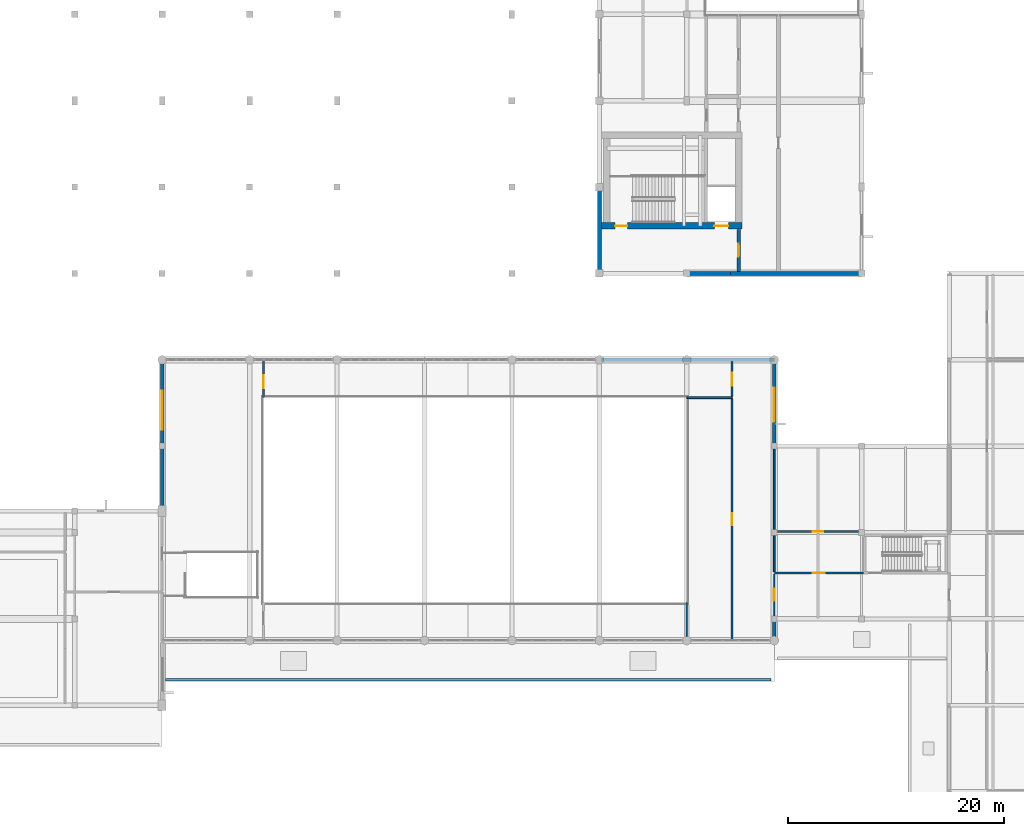
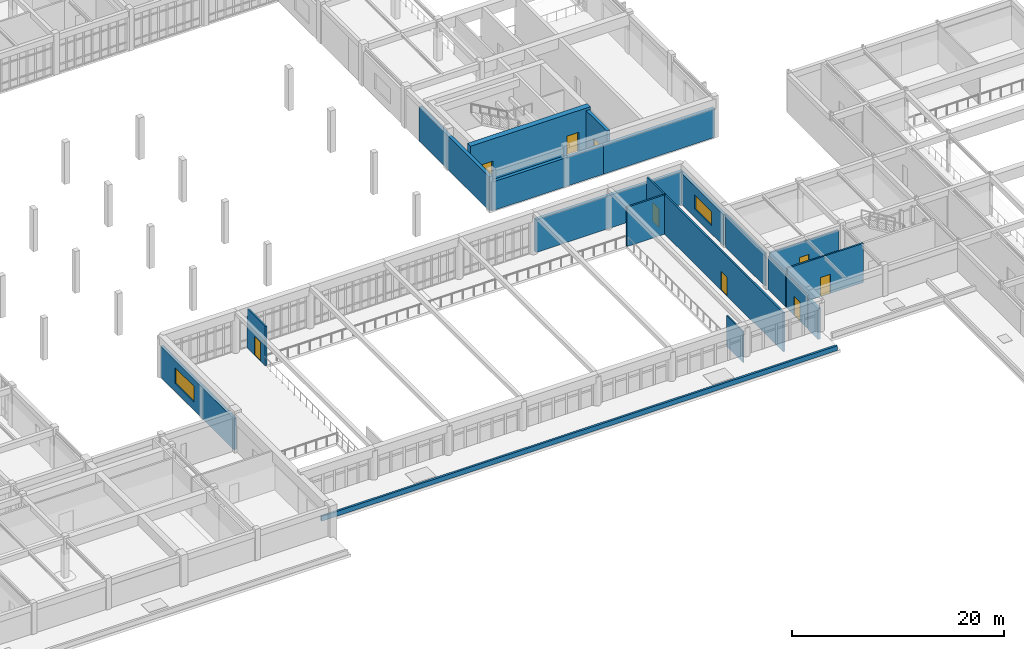
# One storey, part 45 of 61: 20 walls, 9 doors, 2 windows, 11 openings.
"""IFC4 building model written with IfcOpenShell, lengths in metres."""

from ifc_helpers import new_model, si_unit, direction, frame, frame_2d, origin, place, context, subcontext, project, spatial, rectangle, extrude, material, layer, layer_set, type_object, element, fill, save


model = new_model("IFC4")

# Units and contexts
model_context = context("Model", 3, precision=1e-05, world=origin(), true_north=direction((0.0, 1.0)))
body_context = subcontext(model_context, "Body", "Model", "MODEL_VIEW")
ifc_project = project(units=[si_unit("LENGTHUNIT", "METRE"), si_unit("AREAUNIT", "SQUARE_METRE"), si_unit("VOLUMEUNIT", "CUBIC_METRE"), si_unit("PLANEANGLEUNIT", "RADIAN"), si_unit("MASSUNIT", "GRAM", prefix="KILO")], contexts=[model_context])

# Site, building, storey
site_placement = place(None, origin())
site = spatial("IfcSite", under=ifc_project, at=site_placement, CompositionType="ELEMENT")
building_placement = place(site_placement, origin())
building = spatial("IfcBuilding", under=site, at=building_placement, Name="Tarnveldt Square Police Headquarters", CompositionType="ELEMENT")
storey_placement = place(building_placement, frame((0.0, 0.0, 5.39990234375)))
storey = spatial("IfcBuildingStorey", under=building, at=storey_placement, Name="L01", CompositionType="ELEMENT", Elevation=5.39990234375)

# Wall, openings, doors
ifc_material_1 = material(Name="Concrete 50 MPa", Category="concrete")
ifc_layer_1 = layer(ifc_material_1, 0.60009765625)
ifc_layer_set_1 = layer_set([ifc_layer_1], Name="Concrete 50 MPa")
wall_type_1 = type_object("IfcWallType", Name="WL-CORE-600", PredefinedType="SHEAR", material=ifc_layer_set_1)
wall_1_placement = place(storey_placement, frame((105.47998046875, 60.39990234375, 0.0), z_axis=(0.0, 0.0, 1.0), x_axis=(1.0, 0.0, 0.0)))
wall_1 = element("IfcWall", 1, at=wall_1_placement, inside=storey, type_object=wall_type_1, Name="Core K4 East Custody and Tactical Core L01 South Shear Wall", PredefinedType="SHEAR", context=body_context, shape_type="SweptSolid", body=[
    extrude(rectangle(XDim=13.02001953125, YDim=0.60009765625, at=frame_2d((6.510009765625, 0.0))), origin(), (0.0, 0.0, 1.0), 4.800048828125),
])
opening_1_placement = place(wall_1_placement, frame((1.27001953125, 0.0, 0.0)))
opening_1 = element("IfcOpeningElement", 2, at=opening_1_placement, cuts=wall_1, Name="Opening D-ST4-L01", PredefinedType="OPENING", context=body_context, shape_type="SweptSolid", body=[
    extrude(rectangle(XDim=1.14990234375, YDim=2.25, at=frame_2d((0.574951171875, 1.125))), frame((0.0, 0.31005859375, 0.0), z_axis=(0.0, -1.0, 0.0), x_axis=(1.0, 0.0, 0.0)), (0.0, 0.0, 1.0), 0.6201171875),
])
opening_2_placement = place(wall_1_placement, frame((10.47509765625, 0.0, 0.0)))
opening_2 = element("IfcOpeningElement", 3, at=opening_2_placement, cuts=wall_1, Name="Opening LD-LS1-L01", PredefinedType="OPENING", context=body_context, shape_type="SweptSolid", body=[
    extrude(rectangle(XDim=1.300048828125, YDim=2.300048828125, at=frame_2d((0.64990234375, 1.14990234375))), frame((0.0, 0.31005859375, 0.0), z_axis=(0.0, -1.0, 0.0), x_axis=(1.0, 0.0, 0.0)), (0.0, 0.0, 1.0), 0.6201171875),
])
ifc_material_2 = material(Name="Insulated hollow metal steel door leaf", Category="steel")
door_type_1 = type_object("IfcDoorType", Name="DR-FD90-1150", OperationType="NOTDEFINED", PredefinedType="DOOR", material=ifc_material_2)
door_1_placement = place(opening_1_placement, origin())
door_1 = element("IfcDoor", 4, at=door_1_placement, inside=storey, type_object=door_type_1, Name="Exit Stair ST4 L01 Fire Door", OperationType="SINGLE_SWING_LEFT", OverallHeight=2.25, OverallWidth=1.14990234375, PredefinedType="DOOR", context=body_context, shape_type="SweptSolid", body=[
    extrude(rectangle(XDim=1.14990234375, YDim=2.25, at=frame_2d((0.574951171875, 1.125))), frame((0.0, 0.02490234375, 0.0), z_axis=(0.0, -1.0, 0.0), x_axis=(1.0, 0.0, 0.0)), (0.0, 0.0, 1.0), 0.050048828125),
])
fill(opening_1, door_1)
ifc_material_3 = material(Name="Steel 350W", Category="steel")
door_type_2 = type_object("IfcDoorType", Name="DR-LD-1300", OperationType="DOUBLE_DOOR_SLIDING", PredefinedType="DOOR", material=ifc_material_3)
door_2_placement = place(opening_2_placement, frame((1.300048828125, 0.0, 0.0), z_axis=(0.0, 0.0, 1.0), x_axis=(-1.0, 0.0, 0.0)))
door_2 = element("IfcDoor", 5, at=door_2_placement, inside=storey, type_object=door_type_2, Name="Elevator LS1 L01 Sliding Landing Door", OperationType="DOUBLE_DOOR_SLIDING", OverallHeight=2.300048828125, OverallWidth=1.300048828125, PredefinedType="DOOR", context=body_context, shape_type="SweptSolid", body=[
    extrude(rectangle(XDim=1.300048828125, YDim=2.300048828125, at=frame_2d((0.64990234375, 1.14990234375))), frame((0.0, 0.02490234375, 0.0), z_axis=(0.0, -1.0, 0.0), x_axis=(1.0, 0.0, 0.0)), (0.0, 0.0, 1.0), 0.050048828125),
])
fill(opening_2, door_2)

# Walls
ifc_material_4 = material(Name="Concrete 40 MPa", Category="concrete")
ifc_layer_2 = layer(ifc_material_4, 0.35009765625)
ifc_layer_set_2 = layer_set([ifc_layer_2], Name="Concrete 40 MPa")
wall_type_2 = type_object("IfcWallType", Name="WL-CUST-350", PredefinedType="SOLIDWALL", material=ifc_layer_set_2)
wall_2_placement = place(storey_placement, frame((105.300048828125, 56.0, 0.0), z_axis=(0.0, 0.0, 1.0), x_axis=(1.0, 0.0, 0.0)))
element("IfcWall", 6, at=wall_2_placement, inside=storey, type_object=wall_type_2, Name="L01 Brutalist Exterior Wall 0103", PredefinedType="SOLIDWALL", context=body_context, shape_type="SweptSolid", body=[
    extrude(rectangle(XDim=12.14990234375, YDim=0.35009765625, at=frame_2d((6.074951171875, 0.0))), origin(), (0.0, 0.0, 1.0), 3.31201171875),
])
wall_3_placement = place(storey_placement, frame((117.449951171875, 56.0, 0.0), z_axis=(0.0, 0.0, 1.0), x_axis=(1.0, 0.0, 0.0)))
element("IfcWall", 7, at=wall_3_placement, inside=storey, type_object=wall_type_2, Name="L01 Brutalist Exterior Wall 0104", PredefinedType="SOLIDWALL", context=body_context, shape_type="SweptSolid", body=[
    extrude(rectangle(XDim=12.150146484375, YDim=0.35009765625, at=frame_2d((6.0751953125, 0.0))), origin(), (0.0, 0.0, 1.0), 3.31201171875),
])
wall_4_placement = place(storey_placement, frame((105.300048828125, 69.2734375, 0.0), z_axis=(0.0, 0.0, 1.0), x_axis=(0.0, -1.0, 0.0)))
element("IfcWall", 8, at=wall_4_placement, inside=storey, type_object=wall_type_2, Name="L01 Brutalist Exterior Wall 0112", PredefinedType="SOLIDWALL", context=body_context, shape_type="SweptSolid", body=[
    extrude(rectangle(XDim=13.2734375, YDim=0.35009765625, at=frame_2d((6.63671875, 0.0))), origin(), (0.0, 0.0, 1.0), 3.912109375),
])

# Wall, opening, door
wall_5_placement = place(storey_placement, frame((118.199951171875, 56.18310546875, 0.0), z_axis=(0.0, 0.0, 1.0), x_axis=(0.0, 1.0, 0.0)))
wall_5 = element("IfcWall", 9, at=wall_5_placement, inside=storey, type_object=wall_type_2, Name="L01 Interior Partition Wall 0316", PredefinedType="SOLIDWALL", context=body_context, shape_type="SweptSolid", body=[
    extrude(rectangle(XDim=3.908935546875, YDim=0.35009765625, at=frame_2d((1.95458984375, 0.0))), origin(), (0.0, 0.0, 1.0), 4.52001953125),
])
opening_3_placement = place(wall_5_placement, frame((1.3544921875, 0.0, 0.0)))
opening_3 = element("IfcOpeningElement", 10, at=opening_3_placement, cuts=wall_5, Name="Opening D16", PredefinedType="OPENING", context=body_context, shape_type="SweptSolid", body=[
    extrude(rectangle(XDim=1.199951171875, YDim=2.199951171875, at=frame_2d((0.60009765625, 1.10009765625))), frame((0.0, 0.18505859375, 0.0), z_axis=(0.0, -1.0, 0.0), x_axis=(1.0, 0.0, 0.0)), (0.0, 0.0, 1.0), 0.3701171875),
])
door_type_3 = type_object("IfcDoorType", Name="DR-FD60-1200", OperationType="NOTDEFINED", PredefinedType="DOOR", material=ifc_material_2)
door_3_placement = place(opening_3_placement, frame((1.199951171875, 0.0, 0.0), z_axis=(0.0, 0.0, 1.0), x_axis=(-1.0, 0.0, 0.0)))
door_3 = element("IfcDoor", 11, at=door_3_placement, inside=storey, type_object=door_type_3, Name="Core Lift Lobby K4-L01 Door", OperationType="SINGLE_SWING_LEFT", OverallHeight=2.199951171875, OverallWidth=1.199951171875, PredefinedType="DOOR", context=body_context, shape_type="SweptSolid", body=[
    extrude(rectangle(XDim=1.199951171875, YDim=2.199951171875, at=frame_2d((0.60009765625, 1.10009765625))), frame((0.0, 0.02490234375, 0.0), z_axis=(0.0, -1.0, 0.0), x_axis=(1.0, 0.0, 0.0)), (0.0, 0.0, 1.0), 0.050048828125),
])
fill(opening_3, door_3)

# Walls
ifc_layer_3 = layer(ifc_material_4, 0.320068359375)
ifc_layer_set_3 = layer_set([ifc_layer_3], Name="Concrete 40 MPa")
wall_type_3 = type_object("IfcWallType", Name="WL-EXT-BH320", PredefinedType="SOLIDWALL", material=ifc_layer_set_3)
wall_6_placement = place(storey_placement, frame((121.5, 48.0, 0.0), z_axis=(0.0, 0.0, 1.0), x_axis=(-1.0, 0.0, 0.0)))
element("IfcWall", 12, at=wall_6_placement, inside=storey, type_object=wall_type_3, Name="L01 Brutalist Exterior Wall 0081", PredefinedType="SOLIDWALL", context=body_context, shape_type="SweptSolid", body=[
    extrude(rectangle(XDim=16.02001953125, YDim=0.320068359375, at=frame_2d((8.010009765625, 0.0))), origin(), (0.0, 0.0, 1.0), 3.7919921875),
])
ifc_material_5 = material(Name="Manganese ironspot clay brick masonry 20 MPa", Category="masonry")
ifc_layer_4 = layer(ifc_material_5, 0.300048828125)
ifc_layer_set_4 = layer_set([ifc_layer_4], Name="Manganese ironspot clay brick masonry 20 MPa")
wall_type_4 = type_object("IfcWallType", Name="WL-EXT-BRK300", PredefinedType="SOLIDWALL", material=ifc_layer_set_4)
wall_7_placement = place(storey_placement, frame((121.5, 22.179931640625, 0.0), z_axis=(0.0, 0.0, 1.0), x_axis=(0.0, 1.0, 0.0)))
element("IfcWall", 13, at=wall_7_placement, inside=storey, type_object=wall_type_4, Name="L01 Brutalist Exterior Wall 0066", PredefinedType="SOLIDWALL", context=body_context, shape_type="SweptSolid", body=[
    extrude(rectangle(XDim=1.820068359375, YDim=0.300048828125, at=frame_2d((0.91015625, 0.0))), origin(), (0.0, 0.0, 1.0), 3.5810546875),
])

# Wall, opening, window
wall_8_placement = place(storey_placement, frame((121.5, 40.0, 0.0), z_axis=(0.0, 0.0, 1.0), x_axis=(0.0, 1.0, 0.0)))
wall_8 = element("IfcWall", 14, at=wall_8_placement, inside=storey, type_object=wall_type_4, Name="L01 Brutalist Exterior Wall 0080", PredefinedType="SOLIDWALL", context=body_context, shape_type="SweptSolid", body=[
    extrude(rectangle(XDim=8.0, YDim=0.300048828125, at=frame_2d((4.0, 0.0))), origin(), (0.0, 0.0, 1.0), 3.5810546875),
])
opening_4_placement = place(wall_8_placement, frame((2.25, 0.0, 0.949951171875)))
opening_4 = element("IfcOpeningElement", 15, at=opening_4_placement, cuts=wall_8, Name="Opening W18", PredefinedType="OPENING", context=body_context, shape_type="SweptSolid", body=[
    extrude(rectangle(XDim=3.14990234375, YDim=1.60009765625, at=frame_2d((1.574951171875, 0.800048828125))), frame((0.0, 0.159912109375, 0.0), z_axis=(0.0, -1.0, 0.0), x_axis=(1.0, 0.0, 0.0)), (0.0, 0.0, 1.0), 0.320068359375),
])
ifc_material_6 = material(Name="Triple-glazed low-e laminated vision glass", Category="glass")
window_type_1 = type_object("IfcWindowType", Name="WIN-DR-315x160", PartitioningType="TRIPLE_PANEL_VERTICAL", PredefinedType="WINDOW", material=ifc_material_6)
window_1_placement = place(opening_4_placement, origin())
window_1 = element("IfcWindow", 16, at=window_1_placement, inside=storey, type_object=window_type_1, Name="L01 Deep-Reveal Brutalist Window 0018", OverallHeight=1.60009765625, OverallWidth=3.14990234375, PartitioningType="TRIPLE_PANEL_VERTICAL", PredefinedType="WINDOW", context=body_context, shape_type="SweptSolid", body=[
    extrude(rectangle(XDim=3.14990234375, YDim=1.60009765625, at=frame_2d((1.574951171875, 0.800048828125))), frame((0.0, 0.030029296875, 0.0), z_axis=(0.0, -1.0, 0.0), x_axis=(1.0, 0.0, 0.0)), (0.0, 0.0, 1.0), 0.06005859375),
])
fill(opening_4, window_1)

wall_9_placement = place(storey_placement, frame((64.800048828125, 47.820068359375, 0.0), z_axis=(0.0, 0.0, 1.0), x_axis=(0.0, -1.0, 0.0)))
wall_9 = element("IfcWall", 17, at=wall_9_placement, inside=storey, type_object=wall_type_4, Name="L01 Brutalist Exterior Wall 0082", PredefinedType="SOLIDWALL", context=body_context, shape_type="SweptSolid", body=[
    extrude(rectangle(XDim=13.820068359375, YDim=0.300048828125, at=frame_2d((6.91015625, 0.0))), origin(), (0.0, 0.0, 1.0), 3.5810546875),
])
opening_5_placement = place(wall_9_placement, frame((2.699951171875, 0.0, 0.949951171875)))
opening_5 = element("IfcOpeningElement", 18, at=opening_5_placement, cuts=wall_9, Name="Opening W19", PredefinedType="OPENING", context=body_context, shape_type="SweptSolid", body=[
    extrude(rectangle(XDim=3.60009765625, YDim=1.800048828125, at=frame_2d((1.800048828125, 0.89990234375))), frame((0.0, 0.159912109375, 0.0), z_axis=(0.0, -1.0, 0.0), x_axis=(1.0, 0.0, 0.0)), (0.0, 0.0, 1.0), 0.320068359375),
])
window_type_2 = type_object("IfcWindowType", Name="WIN-DR-360x180", PartitioningType="TRIPLE_PANEL_VERTICAL", PredefinedType="WINDOW", material=ifc_material_6)
window_2_placement = place(opening_5_placement, origin())
window_2 = element("IfcWindow", 19, at=window_2_placement, inside=storey, type_object=window_type_2, Name="L01 Deep-Reveal Brutalist Window 0019", OverallHeight=1.800048828125, OverallWidth=3.60009765625, PartitioningType="TRIPLE_PANEL_VERTICAL", PredefinedType="WINDOW", context=body_context, shape_type="SweptSolid", body=[
    extrude(rectangle(XDim=3.60009765625, YDim=1.800048828125, at=frame_2d((1.800048828125, 0.89990234375))), frame((0.0, 0.030029296875, 0.0), z_axis=(0.0, -1.0, 0.0), x_axis=(1.0, 0.0, 0.0)), (0.0, 0.0, 1.0), 0.06005859375),
])
fill(opening_5, window_2)

# Wall
ifc_material_7 = material(Name="Fire-rated Type X gypsum board on steel studs", Category="steel")
ifc_layer_5 = layer(ifc_material_7, 0.179931640625)
ifc_layer_set_5 = layer_set([ifc_layer_5], Name="Fire-rated Type X gypsum board on steel studs")
wall_type_5 = type_object("IfcWallType", Name="WL-FIRE-180", PredefinedType="PARTITIONING", material=ifc_layer_set_5)
wall_10_placement = place(storey_placement, frame((113.409912109375, 44.5, 0.0), z_axis=(0.0, 0.0, 1.0), x_axis=(1.0, 0.0, 0.0)))
element("IfcWall", 20, at=wall_10_placement, inside=storey, type_object=wall_type_5, Name="L01 Interior Partition Wall 0254", PredefinedType="PARTITIONING", context=body_context, shape_type="SweptSolid", body=[
    extrude(rectangle(XDim=4.190185546875, YDim=0.179931640625, at=frame_2d((2.09521484375, 0.0))), origin(), (0.0, 0.0, 1.0), 4.52001953125),
])

# Wall, opening, door
wall_11_placement = place(storey_placement, frame((121.5, 28.260009765625, 0.0), z_axis=(0.0, 0.0, 1.0), x_axis=(1.0, 0.0, 0.0)))
wall_11 = element("IfcWall", 21, at=wall_11_placement, inside=storey, type_object=wall_type_5, Name="L01 Interior Partition Wall 0256", PredefinedType="PARTITIONING", context=body_context, shape_type="SweptSolid", body=[
    extrude(rectangle(XDim=8.260009765625, YDim=0.179931640625, at=frame_2d((4.1298828125, 0.0))), origin(), (0.0, 0.0, 1.0), 4.52001953125),
])
opening_6_placement = place(wall_11_placement, frame((3.580078125, 0.0, 0.0)))
opening_6 = element("IfcOpeningElement", 22, at=opening_6_placement, cuts=wall_11, Name="Opening D15", PredefinedType="OPENING", context=body_context, shape_type="SweptSolid", body=[
    extrude(rectangle(XDim=1.10009765625, YDim=2.199951171875, at=frame_2d((0.550048828125, 1.10009765625))), frame((0.0, 0.099853515625, 0.0), z_axis=(0.0, -1.0, 0.0), x_axis=(1.0, 0.0, 0.0)), (0.0, 0.0, 1.0), 0.199951171875),
])
door_type_4 = type_object("IfcDoorType", Name="DR-FD60-1100", OperationType="NOTDEFINED", PredefinedType="DOOR", material=ifc_material_2)
door_4_placement = place(opening_6_placement, origin())
door_4 = element("IfcDoor", 23, at=door_4_placement, inside=storey, type_object=door_type_4, Name="Athletics Vestibule Lobby L01 Door", OperationType="SINGLE_SWING_LEFT", OverallHeight=2.199951171875, OverallWidth=1.10009765625, PredefinedType="DOOR", context=body_context, shape_type="SweptSolid", body=[
    extrude(rectangle(XDim=1.10009765625, YDim=2.199951171875, at=frame_2d((0.550048828125, 1.10009765625))), frame((0.0, 0.02490234375, 0.0), z_axis=(0.0, -1.0, 0.0), x_axis=(1.0, 0.0, 0.0)), (0.0, 0.0, 1.0), 0.050048828125),
])
fill(opening_6, door_4)

wall_12_placement = place(storey_placement, frame((121.782958984375, 32.10009765625, 0.0), z_axis=(0.0, 0.0, 1.0), x_axis=(1.0, 0.0, 0.0)))
wall_12 = element("IfcWall", 24, at=wall_12_placement, inside=storey, type_object=wall_type_5, Name="L01 Interior Partition Wall 0257", PredefinedType="PARTITIONING", context=body_context, shape_type="SweptSolid", body=[
    extrude(rectangle(XDim=7.533935546875, YDim=0.179931640625, at=frame_2d((3.76708984375, 0.0))), origin(), (0.0, 0.0, 1.0), 3.862060546875),
])
opening_7_placement = place(wall_12_placement, frame((3.26708984375, 0.0, 0.0)))
opening_7 = element("IfcOpeningElement", 25, at=opening_7_placement, cuts=wall_12, Name="Opening D05", PredefinedType="OPENING", context=body_context, shape_type="SweptSolid", body=[
    extrude(rectangle(XDim=1.0, YDim=2.199951171875, at=frame_2d((0.5, 1.10009765625))), frame((0.0, 0.099853515625, 0.0), z_axis=(0.0, -1.0, 0.0), x_axis=(1.0, 0.0, 0.0)), (0.0, 0.0, 1.0), 0.199951171875),
])
ifc_material_8 = material(Name="Solid core architectural birch door leaf", Category="wood")
door_type_5 = type_object("IfcDoorType", Name="DR-INT-1000", OperationType="NOTDEFINED", PredefinedType="DOOR", material=ifc_material_8)
door_5_placement = place(opening_7_placement, origin())
door_5 = element("IfcDoor", 26, at=door_5_placement, inside=storey, type_object=door_type_5, Name="Occupational Physiotherapy Clinic Door", OperationType="SINGLE_SWING_RIGHT", OverallHeight=2.199951171875, OverallWidth=1.0, PredefinedType="DOOR", context=body_context, shape_type="SweptSolid", body=[
    extrude(rectangle(XDim=1.0, YDim=2.199951171875, at=frame_2d((0.5, 1.10009765625))), frame((0.0, 0.02490234375, 0.0), z_axis=(0.0, -1.0, 0.0), x_axis=(1.0, 0.0, 0.0)), (0.0, 0.0, 1.0), 0.050048828125),
])
fill(opening_7, door_5)

wall_13_placement = place(storey_placement, frame((74.199951171875, 44.510009765625, 0.0), z_axis=(0.0, 0.0, 1.0), x_axis=(0.0, 1.0, 0.0)))
wall_13 = element("IfcWall", 27, at=wall_13_placement, inside=storey, type_object=wall_type_5, Name="L01 Interior Partition Wall 0307", PredefinedType="PARTITIONING", context=body_context, shape_type="SweptSolid", body=[
    extrude(rectangle(XDim=3.425048828125, YDim=0.179931640625, at=frame_2d((1.71240234375, 0.0))), origin(), (0.0, 0.0, 1.0), 4.52001953125),
])
opening_8_placement = place(wall_13_placement, frame((0.83837890625, 0.0, 0.0)))
opening_8 = element("IfcOpeningElement", 28, at=opening_8_placement, cuts=wall_13, Name="Opening D16", PredefinedType="OPENING", context=body_context, shape_type="SweptSolid", body=[
    extrude(rectangle(XDim=1.199951171875, YDim=2.199951171875, at=frame_2d((0.60009765625, 1.10009765625))), frame((0.0, 0.099853515625, 0.0), z_axis=(0.0, -1.0, 0.0), x_axis=(1.0, 0.0, 0.0)), (0.0, 0.0, 1.0), 0.199951171875),
])
door_6_placement = place(opening_8_placement, frame((1.199951171875, 0.0, 0.0), z_axis=(0.0, 0.0, 1.0), x_axis=(-1.0, 0.0, 0.0)))
door_6 = element("IfcDoor", 29, at=door_6_placement, inside=storey, type_object=door_type_3, Name="Concourse Upper Spine Corridor Door", OperationType="SINGLE_SWING_RIGHT", OverallHeight=2.199951171875, OverallWidth=1.199951171875, PredefinedType="DOOR", context=body_context, shape_type="SweptSolid", body=[
    extrude(rectangle(XDim=1.199951171875, YDim=2.199951171875, at=frame_2d((0.60009765625, 1.10009765625))), frame((0.0, 0.02490234375, 0.0), z_axis=(0.0, -1.0, 0.0), x_axis=(1.0, 0.0, 0.0)), (0.0, 0.0, 1.0), 0.050048828125),
])
fill(opening_8, door_6)

wall_14_placement = place(storey_placement, frame((117.60009765625, 22.06494140625, 0.0), z_axis=(0.0, 0.0, 1.0), x_axis=(0.0, 1.0, 0.0)))
wall_14 = element("IfcWall", 30, at=wall_14_placement, inside=storey, type_object=wall_type_5, Name="L01 Interior Partition Wall 0314", PredefinedType="PARTITIONING", context=body_context, shape_type="SweptSolid", body=[
    extrude(rectangle(XDim=22.337158203125, YDim=0.179931640625, at=frame_2d((11.16845703125, 0.0))), origin(), (0.0, 0.0, 1.0), 4.52001953125),
])
opening_9_placement = place(wall_14_placement, frame((10.618408203125, 0.0, 0.0)))
opening_9 = element("IfcOpeningElement", 31, at=opening_9_placement, cuts=wall_14, Name="Opening D07", PredefinedType="OPENING", context=body_context, shape_type="SweptSolid", body=[
    extrude(rectangle(XDim=1.10009765625, YDim=2.199951171875, at=frame_2d((0.550048828125, 1.10009765625))), frame((0.0, 0.099853515625, 0.0), z_axis=(0.0, -1.0, 0.0), x_axis=(1.0, 0.0, 0.0)), (0.0, 0.0, 1.0), 0.199951171875),
])
door_type_6 = type_object("IfcDoorType", Name="DR-INT-1100", OperationType="NOTDEFINED", PredefinedType="DOOR", material=ifc_material_8)
door_7_placement = place(opening_9_placement, origin())
door_7 = element("IfcDoor", 32, at=door_7_placement, inside=storey, type_object=door_type_6, Name="Civic Heritage Exhibition Room Door", OperationType="SINGLE_SWING_LEFT", OverallHeight=2.199951171875, OverallWidth=1.10009765625, PredefinedType="DOOR", context=body_context, shape_type="SweptSolid", body=[
    extrude(rectangle(XDim=1.10009765625, YDim=2.199951171875, at=frame_2d((0.550048828125, 1.10009765625))), frame((0.0, 0.02490234375, 0.0), z_axis=(0.0, -1.0, 0.0), x_axis=(1.0, 0.0, 0.0)), (0.0, 0.0, 1.0), 0.050048828125),
])
fill(opening_9, door_7)

wall_15_placement = place(storey_placement, frame((117.60009765625, 44.597900390625, 0.0), z_axis=(0.0, 0.0, 1.0), x_axis=(0.0, 1.0, 0.0)))
wall_15 = element("IfcWall", 33, at=wall_15_placement, inside=storey, type_object=wall_type_5, Name="L01 Interior Partition Wall 0315", PredefinedType="PARTITIONING", context=body_context, shape_type="SweptSolid", body=[
    extrude(rectangle(XDim=3.234130859375, YDim=0.179931640625, at=frame_2d((1.6171875, 0.0))), origin(), (0.0, 0.0, 1.0), 4.52001953125),
])
opening_10_placement = place(wall_15_placement, frame((1.01708984375, 0.0, 0.0)))
opening_10 = element("IfcOpeningElement", 34, at=opening_10_placement, cuts=wall_15, Name="Opening D16", PredefinedType="OPENING", context=body_context, shape_type="SweptSolid", body=[
    extrude(rectangle(XDim=1.199951171875, YDim=2.199951171875, at=frame_2d((0.60009765625, 1.10009765625))), frame((0.0, 0.099853515625, 0.0), z_axis=(0.0, -1.0, 0.0), x_axis=(1.0, 0.0, 0.0)), (0.0, 0.0, 1.0), 0.199951171875),
])
door_8_placement = place(opening_10_placement, frame((1.199951171875, 0.0, 0.0), z_axis=(0.0, 0.0, 1.0), x_axis=(-1.0, 0.0, 0.0)))
door_8 = element("IfcDoor", 35, at=door_8_placement, inside=storey, type_object=door_type_3, Name="Entrance Mezzanine East Link Corridor Door", OperationType="SINGLE_SWING_RIGHT", OverallHeight=2.199951171875, OverallWidth=1.199951171875, PredefinedType="DOOR", context=body_context, shape_type="SweptSolid", body=[
    extrude(rectangle(XDim=1.199951171875, YDim=2.199951171875, at=frame_2d((0.60009765625, 1.10009765625))), frame((0.0, 0.02490234375, 0.0), z_axis=(0.0, -1.0, 0.0), x_axis=(1.0, 0.0, 0.0)), (0.0, 0.0, 1.0), 0.050048828125),
])
fill(opening_10, door_8)

wall_16_placement = place(storey_placement, frame((121.5, 24.282958984375, 0.0), z_axis=(0.0, 0.0, 1.0), x_axis=(0.0, 1.0, 0.0)))
wall_16 = element("IfcWall", 36, at=wall_16_placement, inside=storey, type_object=wall_type_5, Name="L01 Interior Partition Wall 0319", PredefinedType="PARTITIONING", context=body_context, shape_type="SweptSolid", body=[
    extrude(rectangle(XDim=3.879150390625, YDim=0.179931640625, at=frame_2d((1.939453125, 0.0))), origin(), (0.0, 0.0, 1.0), 3.7919921875),
])
opening_11_placement = place(wall_16_placement, frame((1.389404296875, 0.0, 0.0)))
opening_11 = element("IfcOpeningElement", 37, at=opening_11_placement, cuts=wall_16, Name="Opening D15", PredefinedType="OPENING", context=body_context, shape_type="SweptSolid", body=[
    extrude(rectangle(XDim=1.10009765625, YDim=2.199951171875, at=frame_2d((0.550048828125, 1.10009765625))), frame((0.0, 0.099853515625, 0.0), z_axis=(0.0, -1.0, 0.0), x_axis=(1.0, 0.0, 0.0)), (0.0, 0.0, 1.0), 0.199951171875),
])
door_9_placement = place(opening_11_placement, frame((1.10009765625, 0.0, 0.0), z_axis=(0.0, 0.0, 1.0), x_axis=(-1.0, 0.0, 0.0)))
door_9 = element("IfcDoor", 38, at=door_9_placement, inside=storey, type_object=door_type_4, Name="Athletics Link Corridor Door", OperationType="SINGLE_SWING_RIGHT", OverallHeight=2.199951171875, OverallWidth=1.10009765625, PredefinedType="DOOR", context=body_context, shape_type="SweptSolid", body=[
    extrude(rectangle(XDim=1.10009765625, YDim=2.199951171875, at=frame_2d((0.550048828125, 1.10009765625))), frame((0.0, 0.02490234375, 0.0), z_axis=(0.0, -1.0, 0.0), x_axis=(1.0, 0.0, 0.0)), (0.0, 0.0, 1.0), 0.050048828125),
])
fill(opening_11, door_9)

# Walls
wall_17_placement = place(storey_placement, frame((121.5, 28.35791015625, 0.0), z_axis=(0.0, 0.0, 1.0), x_axis=(0.0, 1.0, 0.0)))
element("IfcWall", 39, at=wall_17_placement, inside=storey, type_object=wall_type_5, Name="L01 Interior Partition Wall 0320", PredefinedType="PARTITIONING", context=body_context, shape_type="SweptSolid", body=[
    extrude(rectangle(XDim=3.359130859375, YDim=0.179931640625, at=frame_2d((1.6796875, 0.0))), origin(), (0.0, 0.0, 1.0), 3.7919921875),
])
wall_18_placement = place(storey_placement, frame((121.5, 32.282958984375, 0.0), z_axis=(0.0, 0.0, 1.0), x_axis=(0.0, 1.0, 0.0)))
element("IfcWall", 40, at=wall_18_placement, inside=storey, type_object=wall_type_5, Name="L01 Interior Partition Wall 0321", PredefinedType="PARTITIONING", context=body_context, shape_type="SweptSolid", body=[
    extrude(rectangle(XDim=7.43408203125, YDim=0.179931640625, at=frame_2d((3.717041015625, 0.0))), origin(), (0.0, 0.0, 1.0), 3.7919921875),
])
ifc_material_9 = material(Name="Precast concrete 35 MPa", Category="concrete")
ifc_layer_6 = layer(ifc_material_9, 0.219970703125)
ifc_layer_set_6 = layer_set([ifc_layer_6], Name="Precast concrete 35 MPa")
wall_type_6 = type_object("IfcWallType", Name="WL-PAR-220", PredefinedType="PARAPET", material=ifc_layer_set_6)
wall_19_placement = place(storey_placement, frame((65.10009765625, 18.35009765625, 1.2001953125), z_axis=(0.0, 0.0, 1.0), x_axis=(1.0, 0.0, 0.0)))
element("IfcWall", 41, at=wall_19_placement, inside=storey, type_object=wall_type_6, Name="Colonnade Precast Upstand Parapet PAR-CND-MH", PredefinedType="PARAPET", context=body_context, shape_type="SweptSolid", body=[
    extrude(rectangle(XDim=56.099853515625, YDim=0.219970703125, at=frame_2d((28.0498046875, 0.0))), origin(), (0.0, 0.0, 1.0), 0.5498046875),
])
ifc_layer_7 = layer(ifc_material_7, 0.1201171875)
ifc_layer_set_7 = layer_set([ifc_layer_7], Name="Fire-rated Type X gypsum board on steel studs")
wall_type_7 = type_object("IfcWallType", Name="WL-PART-120", PredefinedType="PARTITIONING", material=ifc_layer_set_7)
wall_20_placement = place(storey_placement, frame((113.39990234375, 22.407958984375, 0.0), z_axis=(0.0, 0.0, 1.0), x_axis=(0.0, 1.0, 0.0)))
element("IfcWall", 42, at=wall_20_placement, inside=storey, type_object=wall_type_7, Name="L01 Interior Partition Wall 0311", PredefinedType="PARTITIONING", context=body_context, shape_type="SweptSolid", body=[
    extrude(rectangle(XDim=3.08203125, YDim=0.1201171875, at=frame_2d((1.541015625, 0.0))), origin(), (0.0, 0.0, 1.0), 3.5810546875),
])

save(model, "model.ifc")
